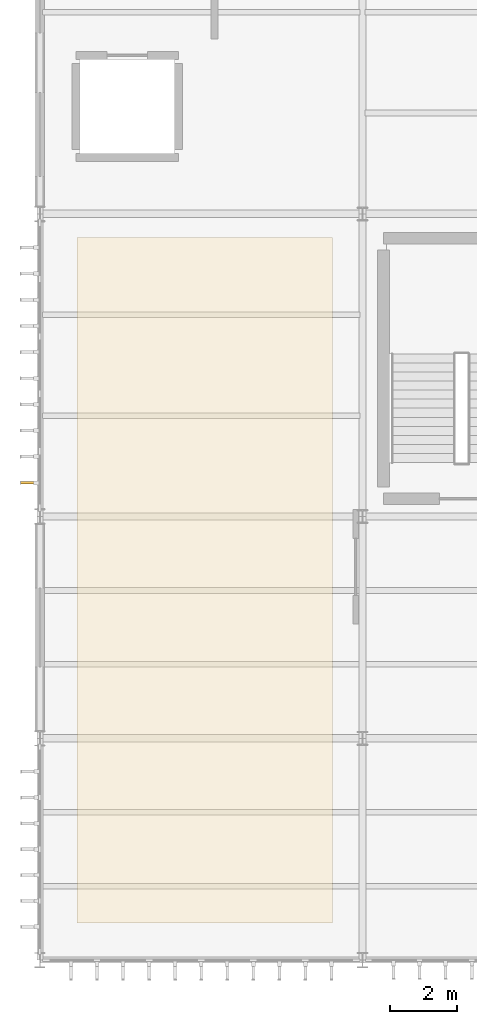
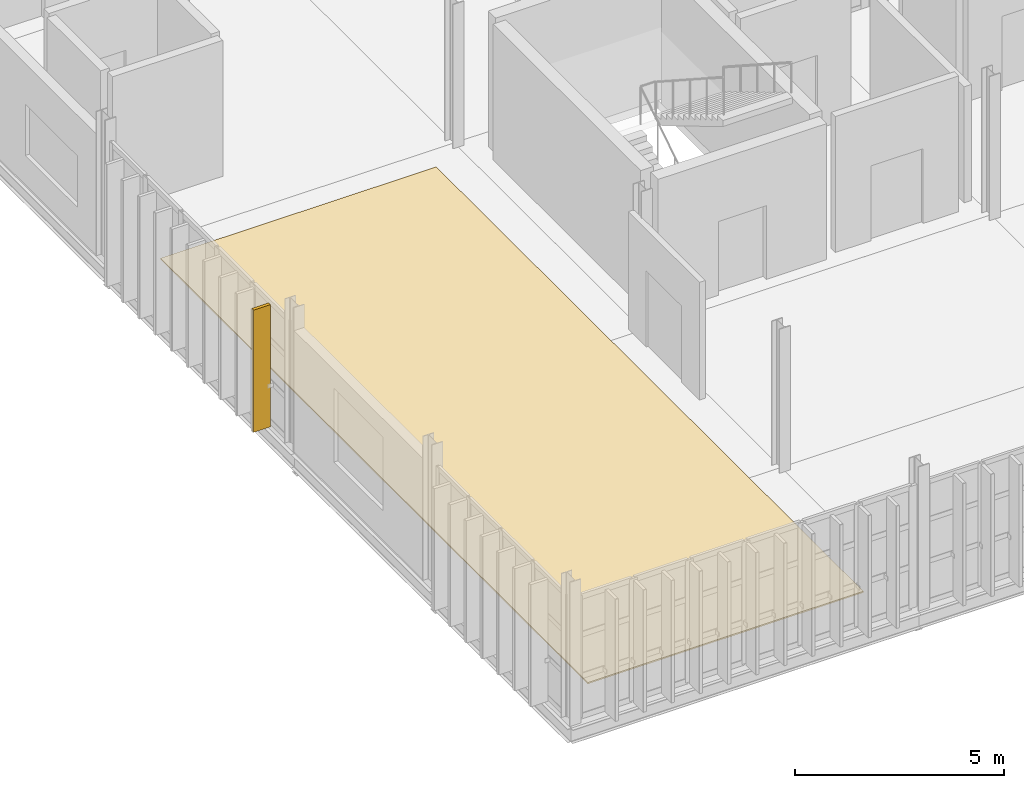
# One storey, part 26 of 38: 1 covering, 1 shading device.
"""IFC4 building model written with IfcOpenShell, lengths in metres."""

from ifc_helpers import new_model, si_unit, direction, frame, origin, origin_2d, place, context, subcontext, project, spatial, polyline, rectangle, outline, extrude, material, layer, layer_set, type_object, element, save


model = new_model("IFC4")

# Units and contexts
model_context = context("Model", 3, precision=1e-05, world=origin(), true_north=direction((0.0, 1.0)))
body_context = subcontext(model_context, "Body", "Model", "MODEL_VIEW")
ifc_project = project(units=[si_unit("LENGTHUNIT", "METRE"), si_unit("AREAUNIT", "SQUARE_METRE"), si_unit("VOLUMEUNIT", "CUBIC_METRE"), si_unit("PLANEANGLEUNIT", "RADIAN"), si_unit("MASSUNIT", "GRAM", prefix="KILO")], contexts=[model_context])

# Site, building, storey
site_placement = place(None, origin())
site = spatial("IfcSite", under=ifc_project, at=site_placement, CompositionType="ELEMENT")
building_placement = place(site_placement, origin())
building = spatial("IfcBuilding", under=site, at=building_placement, Name="Zarnetskaya Central Station", CompositionType="ELEMENT")
storey_placement = place(building_placement, frame((0.0, 0.0, 18.60009765625)))
storey = spatial("IfcBuildingStorey", under=building, at=storey_placement, Name="L04", CompositionType="ELEMENT", Elevation=18.60009765625)

# Covering
ifc_material_1 = material(Name="Granite stone flooring", Category="masonry")
ifc_layer = layer(ifc_material_1, 0.0400390625, Name="Granite stone flooring", Category="masonry")
ifc_layer_set = layer_set([ifc_layer], Name="Granite stone flooring")
covering_type = type_object("IfcCoveringType", Name="COV-GRAN-FLR", PredefinedType="FLOORING", material=ifc_layer_set)
covering_placement = place(storey_placement, origin())
element("IfcCovering", 1, at=covering_placement, inside=storey, type_object=covering_type, Name="Granite terrazzo floor finish L04-603", PredefinedType="FLOORING", context=body_context, shape_type="SweptSolid", body=[
    extrude(outline(polyline([(1.10009765625, 1.10009765625), (8.699951171875, 1.10009765625), (8.699951171875, 21.5), (1.10009765625, 21.5), (1.10009765625, 1.10009765625)])), origin(), (0.0, 0.0, 1.0), 0.039794921875),
])

# Shading device
ifc_material_2 = material(Name="Larch glulam GL28h", Category="wood")
shading_device_type = type_object("IfcShadingDeviceType", Name="SHD-LARCH-FIN-B", PredefinedType="USERDEFINED", material=ifc_material_2)
shading_device_placement = place(storey_placement, frame((-0.340087890625, 14.202392578125, -0.000244140625), z_axis=(0.0, 0.0, 1.0), x_axis=(0.0, 1.0, 0.0)))
element("IfcShadingDevice", 2, at=shading_device_placement, inside=storey, type_object=shading_device_type, Name="Vertical larch timber fin CW-L04-048-01", ObjectType="TIMBER FIN", PredefinedType="USERDEFINED", context=body_context, shape_type="SweptSolid", body=[
    extrude(rectangle(XDim=0.0849609375, YDim=0.4599609375, at=origin_2d()), origin(), (0.0, 0.0, 1.0), 3.56005859375),
])

save(model, "model.ifc")
